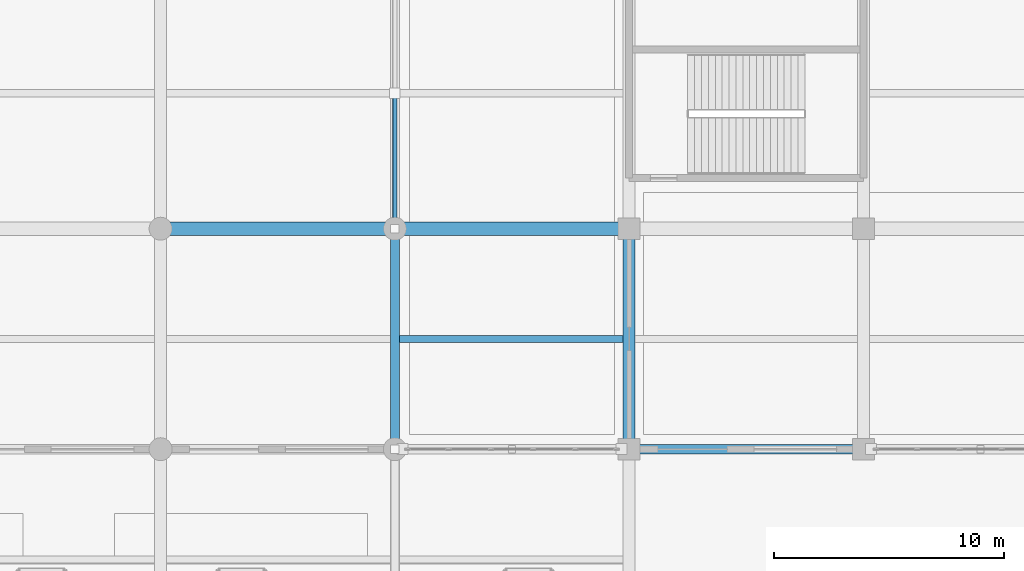
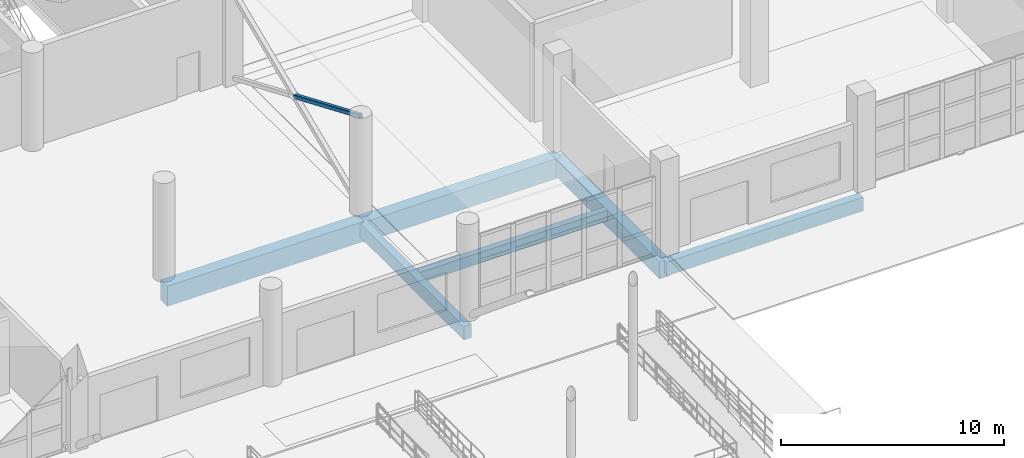
# One storey, part 55 of 124: 6 beams, 1 member.
"""IFC4 building model written with IfcOpenShell, lengths in metres."""

from ifc_helpers import new_model, si_unit, direction, frame, origin, origin_2d, place, context, subcontext, project, spatial, rectangle, hollow_rectangle, extrude, material, material_profile, profile_set, type_object, element, save


model = new_model("IFC4")

# Units and contexts
model_context = context("Model", 3, precision=1e-05, world=origin(), true_north=direction((0.0, 1.0)))
body_context = subcontext(model_context, "Body", "Model", "MODEL_VIEW")
ifc_project = project(units=[si_unit("LENGTHUNIT", "METRE"), si_unit("AREAUNIT", "SQUARE_METRE"), si_unit("VOLUMEUNIT", "CUBIC_METRE"), si_unit("PLANEANGLEUNIT", "RADIAN"), si_unit("MASSUNIT", "GRAM", prefix="KILO")], contexts=[model_context])

# Site, building, storey
site_placement = place(None, origin())
site = spatial("IfcSite", under=ifc_project, at=site_placement, CompositionType="ELEMENT")
building_placement = place(site_placement, origin())
building = spatial("IfcBuilding", under=site, at=building_placement, Name="Brelvane Convention Centre", CompositionType="ELEMENT")
storey_placement = place(building_placement, origin())
storey = spatial("IfcBuildingStorey", under=building, at=storey_placement, Name="L00", CompositionType="ELEMENT", Elevation=0.0)

# Beams
ifc_material_1 = material(Name="Concrete M50", Category="concrete")
ifc_material_profile_1 = material_profile(ifc_material_1, rectangle(XDim=0.60009765625, YDim=1.10009765625, at=origin_2d()), Name="RC 600x1100")
ifc_profile_set_1 = profile_set([ifc_material_profile_1], Name="Concrete M50")
beam_type_1 = type_object("IfcBeamType", Name="RC Beam B-RC2 (RC 600x1100)", PredefinedType="BEAM", material=ifc_profile_set_1)
for number, where, z_axis, x_axis, name in (
    (1, (153.0, 28.800048828125, -0.949951171875), (1.0, 0.0, 0.0), (0.0, 1.0, 0.0), "L00 Beam 16-17/D"),
    (2, (163.199951171875, 28.800048828125, -1.010009765625), (1.0, 0.0, 0.0), (0.0, 1.0, 0.0), "L00 Beam 17-18/D"),
):
    element("IfcBeam", number, at=place(storey_placement, frame(where, z_axis=z_axis, x_axis=x_axis)), inside=storey, type_object=beam_type_1, Name=name, PredefinedType="BEAM", context=body_context, shape_type="SweptSolid", body=[
        extrude(rectangle(XDim=0.60009765625, YDim=1.10009765625, at=origin_2d()), origin(), (0.0, 0.0, 1.0), 10.199951171875),
    ])
ifc_material_2 = material(Name="Concrete M50", Category="concrete")
ifc_material_profile_2 = material_profile(ifc_material_2, rectangle(XDim=0.52001953125, YDim=0.949951171875, at=origin_2d()), Name="RC 520x950")
ifc_profile_set_2 = profile_set([ifc_material_profile_2], Name="Concrete M50")
beam_type_2 = type_object("IfcBeamType", Name="RC Beam B-RC9 (RC 520x950)", PredefinedType="BEAM", material=ifc_profile_set_2)
beam_1_placement = place(storey_placement, frame((173.39990234375, 19.199951171875, -0.93505859375), z_axis=(0.0, 1.0, 0.0), x_axis=(-1.0, 0.0, 0.0)))
element("IfcBeam", 3, at=beam_1_placement, inside=storey, type_object=beam_type_2, Name="L00 Girder 18/C-D", PredefinedType="BEAM", context=body_context, shape_type="SweptSolid", body=[
    extrude(rectangle(XDim=0.52001953125, YDim=0.949951171875, at=origin_2d()), origin(), (0.0, 0.0, 1.0), 9.60009765625),
])
ifc_material_3 = material(Name="Concrete M40", Category="concrete")
ifc_material_profile_3 = material_profile(ifc_material_3, rectangle(XDim=0.320068359375, YDim=0.580078125, at=origin_2d()), Name="RC 320x580")
ifc_profile_set_3 = profile_set([ifc_material_profile_3], Name="Concrete M40")
beam_type_3 = type_object("IfcBeamType", Name="RC Joist J-RC3 (RC 320x580)", PredefinedType="JOIST", material=ifc_profile_set_3)
beam_2_placement = place(storey_placement, frame((163.39990234375, 24.0, -0.75), z_axis=(1.0, 0.0, 0.0), x_axis=(0.0, 1.0, 0.0)))
element("IfcBeam", 4, at=beam_2_placement, inside=storey, type_object=beam_type_3, Name="L00 Secondary Joist 17-18/CD", PredefinedType="JOIST", context=body_context, shape_type="SweptSolid", body=[
    extrude(rectangle(XDim=0.320068359375, YDim=0.580078125, at=origin_2d()), origin(), (0.0, 0.0, 1.0), 9.739990234375),
])
ifc_material_4 = material(Name="Concrete M40", Category="concrete")
ifc_material_profile_4 = material_profile(ifc_material_4, rectangle(XDim=0.39990234375, YDim=0.75, at=origin_2d()), Name="RC 400x750")
ifc_profile_set_4 = profile_set([ifc_material_profile_4], Name="Concrete M40")
beam_type_4 = type_object("IfcBeamType", Name="RC Spandrel SP-RC1 (RC 400x750)", PredefinedType="SPANDREL", material=ifc_profile_set_4)
beam_3_placement = place(storey_placement, frame((173.39990234375, 19.199951171875, -0.8349609375), z_axis=(1.0, 0.0, 0.0), x_axis=(0.0, 1.0, 0.0)))
element("IfcBeam", 5, at=beam_3_placement, inside=storey, type_object=beam_type_4, Name="L00 Beam 18-19/C", PredefinedType="SPANDREL", context=body_context, shape_type="SweptSolid", body=[
    extrude(rectangle(XDim=0.39990234375, YDim=0.75, at=origin_2d()), origin(), (0.0, 0.0, 1.0), 10.2001953125),
])
beam_4_placement = place(storey_placement, frame((163.199951171875, 19.199951171875, -0.8349609375), z_axis=(0.0, 1.0, 0.0), x_axis=(-1.0, 0.0, 0.0)))
element("IfcBeam", 6, at=beam_4_placement, inside=storey, type_object=beam_type_4, Name="L00 Girder 17/C-D", PredefinedType="SPANDREL", context=body_context, shape_type="SweptSolid", body=[
    extrude(rectangle(XDim=0.39990234375, YDim=0.75, at=origin_2d()), origin(), (0.0, 0.0, 1.0), 9.60009765625),
])

# Member
ifc_material_5 = material(Name="Steel E350 (350 MPa)", Category="steel")
ifc_material_profile_5 = material_profile(ifc_material_5, hollow_rectangle(XDim=0.199951171875, YDim=0.199951171875, WallThickness=0.010009765625, InnerFilletRadius=0.010009765625, OuterFilletRadius=0.02001953125, at=origin_2d()), Name="SHS 200x200x10.0")
ifc_profile_set_5 = profile_set([ifc_material_profile_5], Name="Steel E350 (350 MPa)")
member_type = type_object("IfcMemberType", Name="Steel Brace BR-ST3 (SHS 200x200x10.0)", PredefinedType="BRACE", material=ifc_profile_set_5)
member_placement = place(storey_placement, frame((163.199951171875, 34.699951171875, 2.699951171875), z_axis=(0.0, -0.92074940082, 0.390154508996), x_axis=(1.0, 0.0, 0.0)))
element("IfcMember", 7, at=member_placement, inside=storey, type_object=member_type, Name="Lateral X-Brace Split Upper V2W-1-L00-B2", PredefinedType="BRACE", context=body_context, shape_type="SweptSolid", body=[
    extrude(hollow_rectangle(XDim=0.199951171875, YDim=0.199951171875, WallThickness=0.010009765625, InnerFilletRadius=0.010009765625, OuterFilletRadius=0.02001953125, at=origin_2d()), origin(), (0.0, 0.0, 1.0), 6.40771484375),
])

save(model, "model.ifc")
